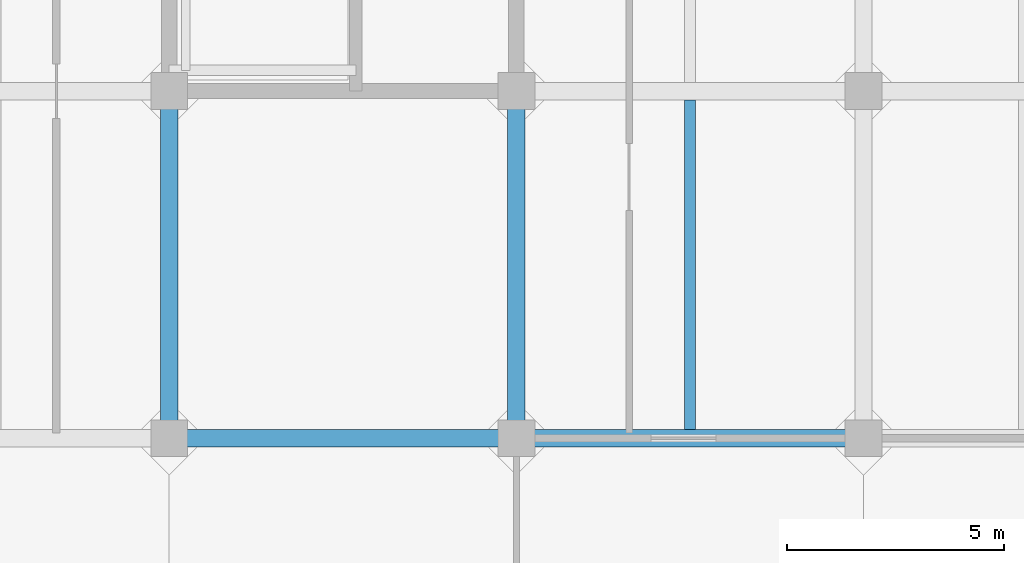
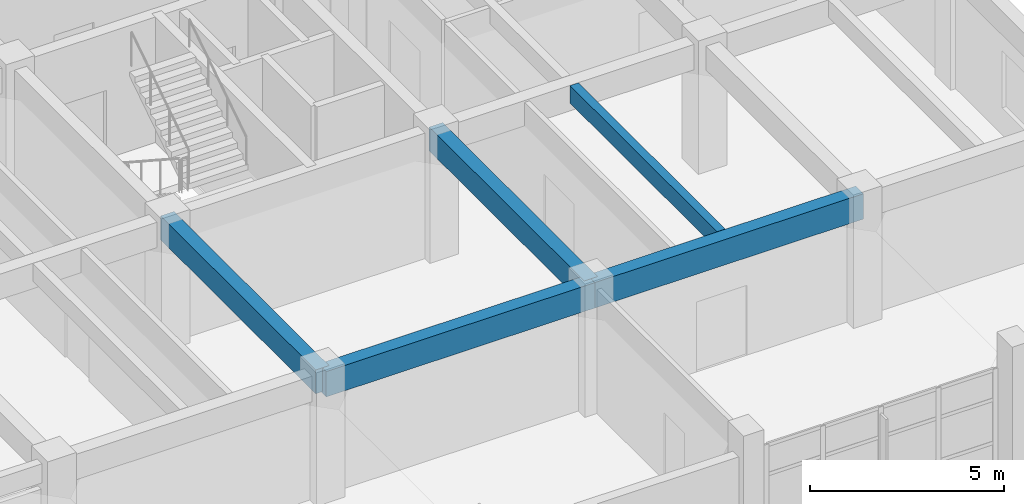
# One storey, part 6 of 27: 5 beams.
"""IFC4 building model written with IfcOpenShell, lengths in metres."""

from ifc_helpers import new_model, si_unit, direction, frame, origin, origin_2d, place, context, subcontext, project, spatial, rectangle, extrude, material, material_profile, profile_set, type_object, element, save


model = new_model("IFC4")

# Units and contexts
model_context = context("Model", 3, precision=1e-05, world=origin(), true_north=direction((0.0, 1.0)))
body_context = subcontext(model_context, "Body", "Model", "MODEL_VIEW")
ifc_project = project(units=[si_unit("LENGTHUNIT", "METRE"), si_unit("AREAUNIT", "SQUARE_METRE"), si_unit("VOLUMEUNIT", "CUBIC_METRE"), si_unit("PLANEANGLEUNIT", "RADIAN"), si_unit("MASSUNIT", "GRAM", prefix="KILO")], contexts=[model_context])

# Site, building, storey
site_placement = place(None, origin())
site = spatial("IfcSite", under=ifc_project, at=site_placement, CompositionType="ELEMENT")
building_placement = place(site_placement, origin())
building = spatial("IfcBuilding", under=site, at=building_placement, Name="Canggui Botanical Conservatory", CompositionType="ELEMENT")
storey_placement = place(building_placement, frame((0.0, 0.0, 23.39990234375)))
storey = spatial("IfcBuildingStorey", under=building, at=storey_placement, Name="L06", CompositionType="ELEMENT", Elevation=23.39990234375)

# Beams
ifc_material = material(Name="Concrete C35", Category="concrete")
ifc_material_profile_1 = material_profile(ifc_material, rectangle(XDim=0.25, YDim=0.550048828125, at=origin_2d()), Name="RB 250x550")
ifc_profile_set_1 = profile_set([ifc_material_profile_1], Name="Concrete C35")
beam_type_1 = type_object("IfcBeamType", Name="BM-JST03", PredefinedType="JOIST", material=ifc_profile_set_1)
beam_placement = place(storey_placement, frame((166.0, 34.205078125, 3.68505859375), z_axis=(0.0, 1.0, 0.0), x_axis=(-1.0, 0.0, 0.0)))
element("IfcBeam", 1, at=beam_placement, inside=storey, type_object=beam_type_1, Name="Secondary Floor Joist L06-4-1", PredefinedType="JOIST", context=body_context, shape_type="SweptSolid", body=[
    extrude(rectangle(XDim=0.25, YDim=0.550048828125, at=origin_2d()), origin(), (0.0, 0.0, 1.0), 7.58984375),
])
ifc_material_profile_2 = material_profile(ifc_material, rectangle(XDim=0.39990234375, YDim=0.800048828125, at=origin_2d()), Name="RB 400x800")
ifc_profile_set_2 = profile_set([ifc_material_profile_2], Name="Concrete C35")
beam_type_2 = type_object("IfcBeamType", Name="BM-KL09", PredefinedType="BEAM", material=ifc_profile_set_2)
for number, where, z_axis, x_axis, name in (
    (2, (154.0, 34.0, 3.56005859375), (1.0, 0.0, 0.0), (0.0, 1.0, 0.0), "Frame Girder L06 Y34-3"),
    (3, (162.0, 34.0, 3.56005859375), (1.0, 0.0, 0.0), (0.0, 1.0, 0.0), "Frame Girder L06 Y34-4"),
):
    element("IfcBeam", number, at=place(storey_placement, frame(where, z_axis=z_axis, x_axis=x_axis)), inside=storey, type_object=beam_type_2, Name=name, PredefinedType="BEAM", context=body_context, shape_type="SweptSolid", body=[
        extrude(rectangle(XDim=0.39990234375, YDim=0.800048828125, at=origin_2d()), origin(), (0.0, 0.0, 1.0), 8.0),
    ])
ifc_material_profile_3 = material_profile(ifc_material, rectangle(XDim=0.39990234375, YDim=0.75, at=origin_2d()), Name="RB 400x750")
ifc_profile_set_3 = profile_set([ifc_material_profile_3], Name="Concrete C35")
beam_type_3 = type_object("IfcBeamType", Name="BM-KL10", PredefinedType="BEAM", material=ifc_profile_set_3)
for number, where, z_axis, x_axis, name in (
    (4, (154.0, 34.0, 3.585205078125), (0.0, 1.0, 0.0), (-1.0, 0.0, 0.0), "Frame Girder L06 X154-1"),
    (5, (162.0, 34.0, 3.585205078125), (0.0, 1.0, 0.0), (-1.0, 0.0, 0.0), "Frame Girder L06 X162-1"),
):
    element("IfcBeam", number, at=place(storey_placement, frame(where, z_axis=z_axis, x_axis=x_axis)), inside=storey, type_object=beam_type_3, Name=name, PredefinedType="BEAM", context=body_context, shape_type="SweptSolid", body=[
        extrude(rectangle(XDim=0.39990234375, YDim=0.75, at=origin_2d()), origin(), (0.0, 0.0, 1.0), 8.0),
    ])

save(model, "model.ifc")
